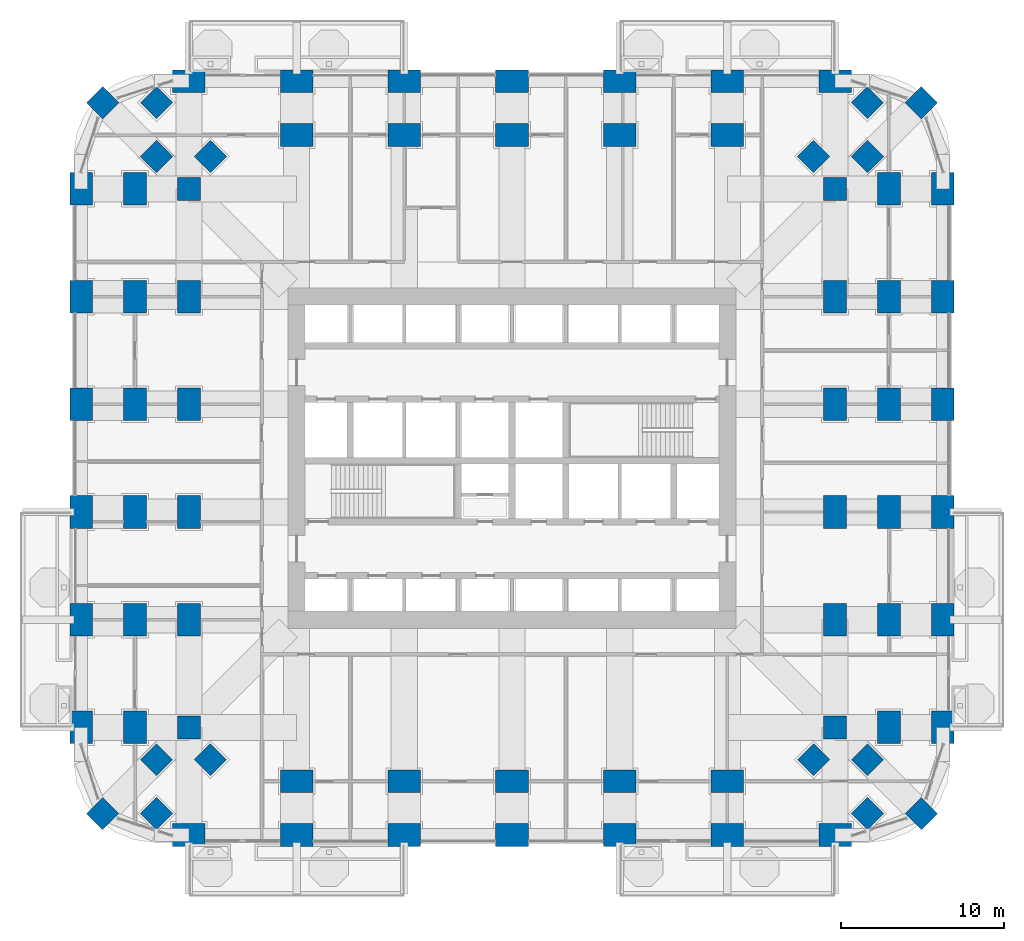
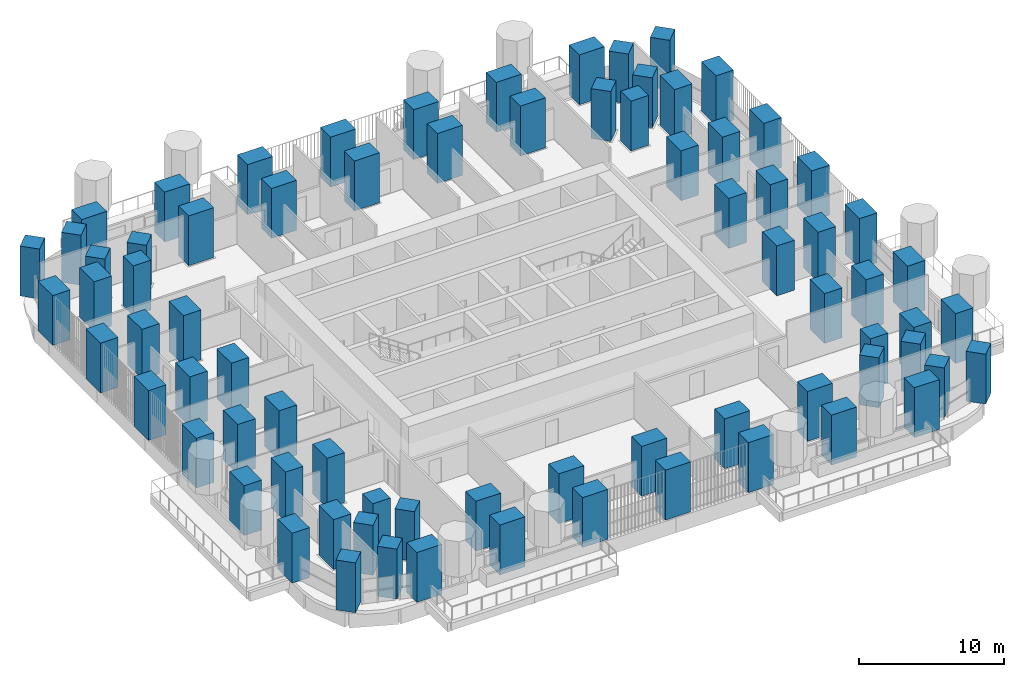
# One storey, part 1 of 27: 76 columns.
"""IFC4 building model written with IfcOpenShell, lengths in metres."""

from ifc_helpers import new_model, si_unit, direction, frame, origin, origin_2d, place, context, subcontext, project, spatial, rectangle, extrude, material, material_profile, profile_set, type_object, element, save


model = new_model("IFC4")

# Units and contexts
model_context = context("Model", 3, precision=1e-05, world=origin(), true_north=direction((0.0, 1.0)))
body_context = subcontext(model_context, "Body", "Model", "MODEL_VIEW")
ifc_project = project(units=[si_unit("LENGTHUNIT", "METRE"), si_unit("AREAUNIT", "SQUARE_METRE"), si_unit("VOLUMEUNIT", "CUBIC_METRE"), si_unit("PLANEANGLEUNIT", "RADIAN"), si_unit("MASSUNIT", "GRAM", prefix="KILO")], contexts=[model_context])

# Site, building, storey
site_placement = place(None, origin())
site = spatial("IfcSite", under=ifc_project, at=site_placement, CompositionType="ELEMENT")
building_placement = place(site_placement, origin())
building = spatial("IfcBuilding", under=site, at=building_placement, Name="Cobogo Forest Laboratory Tower", CompositionType="ELEMENT")
storey_placement = place(building_placement, frame((0.0, 0.0, 71.699951171875)))
storey = spatial("IfcBuildingStorey", under=building, at=storey_placement, Name="L16", CompositionType="ELEMENT", Elevation=71.699951171875)

# Columns
ifc_material = material(Name="Concrete HA-50 (C50/60)", Category="concrete")
ifc_material_profile_1 = material_profile(ifc_material, rectangle(XDim=2.0, YDim=1.39990234375, at=origin_2d()), Name="RC 1400x2000")
ifc_profile_set_1 = profile_set([ifc_material_profile_1], Name="Concrete HA-50 (C50/60)")
column_type_1 = type_object("IfcColumnType", Name="Blade column 1400x2000", PredefinedType="COLUMN", material=ifc_profile_set_1)
for number, where, z_axis, x_axis, name in (
    (1, (6.60009765625, 0.0, 0.0), (0.0, 0.0, 1.0), (1.0, 0.0, 0.0), "Column 2-A L16"),
    (2, (13.199951171875, 0.0, 0.0), (0.0, 0.0, 1.0), (1.0, 0.0, 0.0), "Column 3-A L16"),
    (3, (19.800048828125, 0.0, 0.0), (0.0, 0.0, 1.0), (1.0, 0.0, 0.0), "Column 4-A L16"),
    (4, (26.39990234375, 0.0, 0.0), (0.0, 0.0, 1.0), (1.0, 0.0, 0.0), "Column 5-A L16"),
    (5, (33.0, 0.0, 0.0), (0.0, 0.0, 1.0), (1.0, 0.0, 0.0), "Column 6-A L16"),
    (6, (39.60009765625, 0.0, 0.0), (0.0, 0.0, 1.0), (1.0, 0.0, 0.0), "Column 7-A L16"),
    (7, (46.199951171875, 0.0, 0.0), (0.0, 0.0, 1.0), (1.0, 0.0, 0.0), "Column 8-A L16"),
    (8, (0.0, 6.60009765625, 0.0), (0.0, 0.0, 1.0), (0.0, 1.0, 0.0), "Column 1-B L16"),
    (9, (52.800048828125, 6.60009765625, 0.0), (0.0, 0.0, 1.0), (0.0, 1.0, 0.0), "Column 9-B L16"),
    (10, (0.0, 13.199951171875, 0.0), (0.0, 0.0, 1.0), (0.0, 1.0, 0.0), "Column 1-C L16"),
    (11, (52.800048828125, 13.199951171875, 0.0), (0.0, 0.0, 1.0), (0.0, 1.0, 0.0), "Column 9-C L16"),
    (12, (0.0, 19.800048828125, 0.0), (0.0, 0.0, 1.0), (0.0, 1.0, 0.0), "Column 1-D L16"),
    (13, (52.800048828125, 19.800048828125, 0.0), (0.0, 0.0, 1.0), (0.0, 1.0, 0.0), "Column 9-D L16"),
    (14, (0.0, 26.39990234375, 0.0), (0.0, 0.0, 1.0), (0.0, 1.0, 0.0), "Column 1-E L16"),
    (15, (52.800048828125, 26.39990234375, 0.0), (0.0, 0.0, 1.0), (0.0, 1.0, 0.0), "Column 9-E L16"),
    (16, (0.0, 33.0, 0.0), (0.0, 0.0, 1.0), (0.0, 1.0, 0.0), "Column 1-F L16"),
    (17, (52.800048828125, 33.0, 0.0), (0.0, 0.0, 1.0), (0.0, 1.0, 0.0), "Column 9-F L16"),
    (18, (0.0, 39.60009765625, 0.0), (0.0, 0.0, 1.0), (0.0, 1.0, 0.0), "Column 1-G L16"),
    (19, (52.800048828125, 39.60009765625, 0.0), (0.0, 0.0, 1.0), (0.0, 1.0, 0.0), "Column 9-G L16"),
    (20, (6.60009765625, 46.199951171875, 0.0), (0.0, 0.0, 1.0), (1.0, 0.0, 0.0), "Column 2-H L16"),
    (21, (13.199951171875, 46.199951171875, 0.0), (0.0, 0.0, 1.0), (1.0, 0.0, 0.0), "Column 3-H L16"),
    (22, (19.800048828125, 46.199951171875, 0.0), (0.0, 0.0, 1.0), (1.0, 0.0, 0.0), "Column 4-H L16"),
    (23, (26.39990234375, 46.199951171875, 0.0), (0.0, 0.0, 1.0), (1.0, 0.0, 0.0), "Column 5-H L16"),
    (24, (33.0, 46.199951171875, 0.0), (0.0, 0.0, 1.0), (1.0, 0.0, 0.0), "Column 6-H L16"),
    (25, (39.60009765625, 46.199951171875, 0.0), (0.0, 0.0, 1.0), (1.0, 0.0, 0.0), "Column 7-H L16"),
    (26, (46.199951171875, 46.199951171875, 0.0), (0.0, 0.0, 1.0), (1.0, 0.0, 0.0), "Column 8-H L16"),
    (27, (3.300048828125, 6.60009765625, 0.0), (0.0, 0.0, 1.0), (0.0, 1.0, 0.0), "Column 1.1-B-B L16"),
    (28, (49.5, 6.60009765625, 0.0), (0.0, 0.0, 1.0), (0.0, 1.0, 0.0), "Column 8.1-B-B L16"),
    (29, (3.300048828125, 13.199951171875, 0.0), (0.0, 0.0, 1.0), (0.0, 1.0, 0.0), "Column 1.1-C-B L16"),
    (30, (49.5, 13.199951171875, 0.0), (0.0, 0.0, 1.0), (0.0, 1.0, 0.0), "Column 8.1-C-B L16"),
    (31, (3.300048828125, 19.800048828125, 0.0), (0.0, 0.0, 1.0), (0.0, 1.0, 0.0), "Column 1.1-D-B L16"),
    (32, (49.5, 19.800048828125, 0.0), (0.0, 0.0, 1.0), (0.0, 1.0, 0.0), "Column 8.1-D-B L16"),
    (33, (3.300048828125, 26.39990234375, 0.0), (0.0, 0.0, 1.0), (0.0, 1.0, 0.0), "Column 1.1-E-B L16"),
    (34, (49.5, 26.39990234375, 0.0), (0.0, 0.0, 1.0), (0.0, 1.0, 0.0), "Column 8.1-E-B L16"),
    (35, (3.300048828125, 33.0, 0.0), (0.0, 0.0, 1.0), (0.0, 1.0, 0.0), "Column 1.1-F-B L16"),
    (36, (49.5, 33.0, 0.0), (0.0, 0.0, 1.0), (0.0, 1.0, 0.0), "Column 8.1-F-B L16"),
    (37, (3.300048828125, 39.60009765625, 0.0), (0.0, 0.0, 1.0), (0.0, 1.0, 0.0), "Column 1.1-G-B L16"),
    (38, (49.5, 39.60009765625, 0.0), (0.0, 0.0, 1.0), (0.0, 1.0, 0.0), "Column 8.1-G-B L16"),
    (39, (13.199951171875, 3.300048828125, 0.0), (0.0, 0.0, 1.0), (1.0, 0.0, 0.0), "Column 3-A.1-C L16"),
    (40, (19.800048828125, 3.300048828125, 0.0), (0.0, 0.0, 1.0), (1.0, 0.0, 0.0), "Column 4-A.1-C L16"),
    (41, (26.39990234375, 3.300048828125, 0.0), (0.0, 0.0, 1.0), (1.0, 0.0, 0.0), "Column 5-A.1-C L16"),
    (42, (33.0, 3.300048828125, 0.0), (0.0, 0.0, 1.0), (1.0, 0.0, 0.0), "Column 6-A.1-C L16"),
    (43, (39.60009765625, 3.300048828125, 0.0), (0.0, 0.0, 1.0), (1.0, 0.0, 0.0), "Column 7-A.1-C L16"),
    (44, (13.199951171875, 42.89990234375, 0.0), (0.0, 0.0, 1.0), (1.0, 0.0, 0.0), "Column 3-G.1-C L16"),
    (45, (19.800048828125, 42.89990234375, 0.0), (0.0, 0.0, 1.0), (1.0, 0.0, 0.0), "Column 4-G.1-C L16"),
    (46, (26.39990234375, 42.89990234375, 0.0), (0.0, 0.0, 1.0), (1.0, 0.0, 0.0), "Column 5-G.1-C L16"),
    (47, (33.0, 42.89990234375, 0.0), (0.0, 0.0, 1.0), (1.0, 0.0, 0.0), "Column 6-G.1-C L16"),
    (48, (39.60009765625, 42.89990234375, 0.0), (0.0, 0.0, 1.0), (1.0, 0.0, 0.0), "Column 7-G.1-C L16"),
    (49, (6.60009765625, 13.199951171875, 0.0), (0.0, 0.0, 1.0), (0.0, 1.0, 0.0), "Column 2-C-D L16"),
    (50, (46.199951171875, 13.199951171875, 0.0), (0.0, 0.0, 1.0), (0.0, 1.0, 0.0), "Column 8-C-D L16"),
    (51, (6.60009765625, 19.800048828125, 0.0), (0.0, 0.0, 1.0), (0.0, 1.0, 0.0), "Column 2-D-D L16"),
    (52, (46.199951171875, 19.800048828125, 0.0), (0.0, 0.0, 1.0), (0.0, 1.0, 0.0), "Column 8-D-D L16"),
    (53, (6.60009765625, 26.39990234375, 0.0), (0.0, 0.0, 1.0), (0.0, 1.0, 0.0), "Column 2-E-D L16"),
    (54, (46.199951171875, 26.39990234375, 0.0), (0.0, 0.0, 1.0), (0.0, 1.0, 0.0), "Column 8-E-D L16"),
    (55, (6.60009765625, 33.0, 0.0), (0.0, 0.0, 1.0), (0.0, 1.0, 0.0), "Column 2-F-D L16"),
    (56, (46.199951171875, 33.0, 0.0), (0.0, 0.0, 1.0), (0.0, 1.0, 0.0), "Column 8-F-D L16"),
):
    element("IfcColumn", number, at=place(storey_placement, frame(where, z_axis=z_axis, x_axis=x_axis)), inside=storey, type_object=column_type_1, Name=name, PredefinedType="COLUMN", context=body_context, shape_type="SweptSolid", body=[
        extrude(rectangle(XDim=2.0, YDim=1.39990234375, at=origin_2d()), origin(), (0.0, 0.0, 1.0), 4.199951171875),
    ])
ifc_material_profile_2 = material_profile(ifc_material, rectangle(XDim=1.39990234375, YDim=1.39990234375, at=origin_2d()), Name="RC 1400x1400")
ifc_profile_set_2 = profile_set([ifc_material_profile_2], Name="Concrete HA-50 (C50/60)")
column_type_2 = type_object("IfcColumnType", Name="Column 1400x1400", PredefinedType="COLUMN", material=ifc_profile_set_2)
for number, where, z_axis, x_axis, name in (
    (57, (1.318115234375, 1.318115234375, 0.0), (0.0, 0.0, 1.0), (0.707106781187, 0.707106781187, 0.0), "Column CNR-SW L16"),
    (58, (51.48193359375, 1.318115234375, 0.0), (0.0, 0.0, 1.0), (0.707106781187, 0.707106781187, 0.0), "Column CNR-SE L16"),
    (59, (1.318115234375, 44.882080078125, 0.0), (0.0, 0.0, 1.0), (0.707106781187, 0.707106781187, 0.0), "Column CNR-NW L16"),
    (60, (51.48193359375, 44.882080078125, 0.0), (0.0, 0.0, 1.0), (0.707106781187, 0.707106781187, 0.0), "Column CNR-NE L16"),
    (61, (6.60009765625, 6.60009765625, 0.0), (0.0, 0.0, 1.0), (1.0, 0.0, 0.0), "Column 2-B L16"),
    (62, (46.199951171875, 6.60009765625, 0.0), (0.0, 0.0, 1.0), (1.0, 0.0, 0.0), "Column 8-B L16"),
    (63, (6.60009765625, 39.60009765625, 0.0), (0.0, 0.0, 1.0), (1.0, 0.0, 0.0), "Column 2-G L16"),
    (64, (46.199951171875, 39.60009765625, 0.0), (0.0, 0.0, 1.0), (1.0, 0.0, 0.0), "Column 8-G L16"),
    (65, (4.617919921875, 1.318115234375, 0.0), (0.0, 0.0, 1.0), (0.707106781187, 0.707106781187, 0.0), "Column CNR-SW-B L16"),
    (66, (48.181884765625, 1.318115234375, 0.0), (0.0, 0.0, 1.0), (0.707106781187, 0.707106781187, 0.0), "Column CNR-SE-B L16"),
    (67, (4.617919921875, 44.882080078125, 0.0), (0.0, 0.0, 1.0), (0.707106781187, 0.707106781187, 0.0), "Column CNR-NW-B L16"),
    (68, (48.181884765625, 44.882080078125, 0.0), (0.0, 0.0, 1.0), (0.707106781187, 0.707106781187, 0.0), "Column CNR-NE-B L16"),
    (69, (4.617919921875, 4.617919921875, 0.0), (0.0, 0.0, 1.0), (0.707106781187, 0.707106781187, 0.0), "Column CNR-SW-C L16"),
    (70, (48.181884765625, 4.617919921875, 0.0), (0.0, 0.0, 1.0), (0.707106781187, 0.707106781187, 0.0), "Column CNR-SE-C L16"),
    (71, (4.617919921875, 41.58203125, 0.0), (0.0, 0.0, 1.0), (0.707106781187, 0.707106781187, 0.0), "Column CNR-NW-C L16"),
    (72, (48.181884765625, 41.58203125, 0.0), (0.0, 0.0, 1.0), (0.707106781187, 0.707106781187, 0.0), "Column CNR-NE-C L16"),
    (73, (7.91796875, 4.617919921875, 0.0), (0.0, 0.0, 1.0), (0.707106781187, 0.707106781187, 0.0), "Column CNR-SW-D L16"),
    (74, (44.882080078125, 4.617919921875, 0.0), (0.0, 0.0, 1.0), (0.707106781187, 0.707106781187, 0.0), "Column CNR-SE-D L16"),
    (75, (7.91796875, 41.58203125, 0.0), (0.0, 0.0, 1.0), (0.707106781187, 0.707106781187, 0.0), "Column CNR-NW-D L16"),
    (76, (44.882080078125, 41.58203125, 0.0), (0.0, 0.0, 1.0), (0.707106781187, 0.707106781187, 0.0), "Column CNR-NE-D L16"),
):
    element("IfcColumn", number, at=place(storey_placement, frame(where, z_axis=z_axis, x_axis=x_axis)), inside=storey, type_object=column_type_2, Name=name, PredefinedType="COLUMN", context=body_context, shape_type="SweptSolid", body=[
        extrude(rectangle(XDim=1.39990234375, YDim=1.39990234375, at=origin_2d()), origin(), (0.0, 0.0, 1.0), 4.199951171875),
    ])

save(model, "model.ifc")
